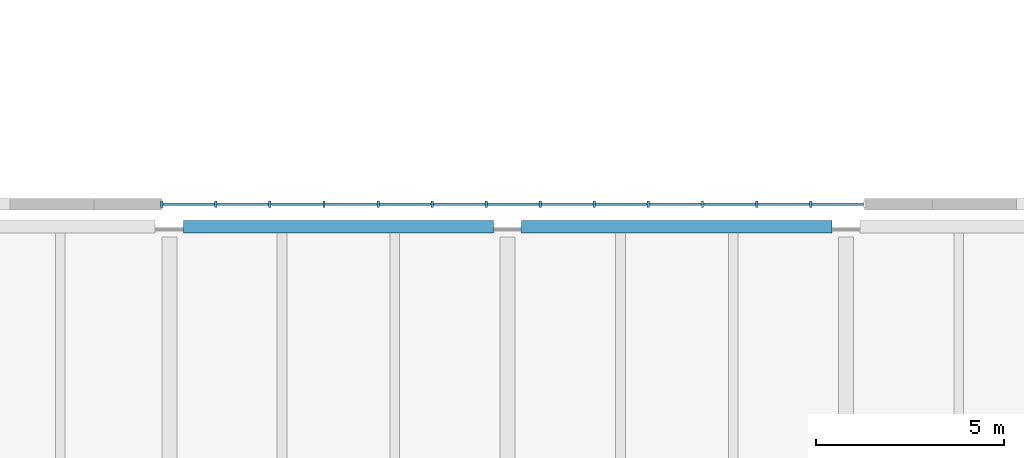
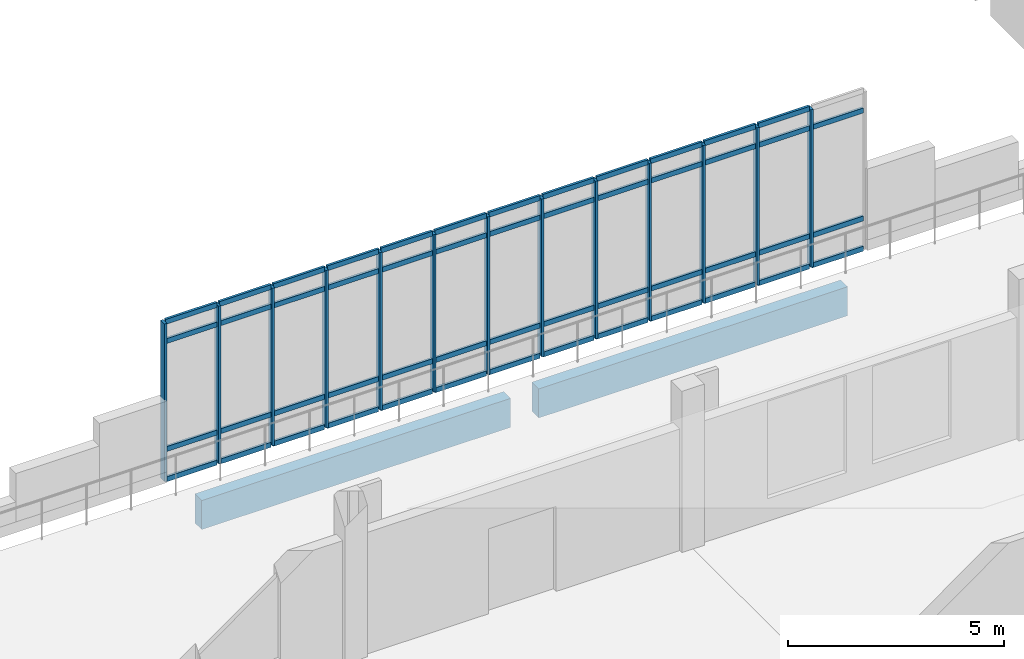
# One storey, part 15 of 63: 64 members, 2 beams, 1 element without a shape of its own.
"""IFC4 building model written with IfcOpenShell, lengths in metres."""

import ifcopenshell
import ifcopenshell.guid

model = None  # the IFC model being written
_history = None  # IfcOwnerHistory: only IFC2X3 demands one
_inside = {}  # id of a spatial element -> (the spatial element, [elements in it])
_under = {}  # id of a project, library or spatial element -> (it, [spatial elements below it])
_declared = {}  # id of a project -> (the project, [libraries it declares])
_typed = {}  # id of a type object -> (the type object, [elements of that type])
_made_of = {}  # id of a material, layer set ... -> (it, [elements and type objects made of it])


def new_model(schema):
    """Start an empty IFC model of exactly this schema.

    Asked for "IFC4X3", IfcOpenShell would pick the latest addendum, in which some entities
    have other attributes; the version numbers below select the first issue.
    IFC2X3 requires an IfcOwnerHistory on every rooted entity: one is made here for all.
    """
    global model, _history
    if schema == "IFC4X3":
        model = ifcopenshell.file(schema_version=(4, 3, 0, 0))
    else:
        model = ifcopenshell.file(schema=schema)
    _inside.clear()
    _under.clear()
    _declared.clear()
    _typed.clear()
    _made_of.clear()
    _history = None
    if model.schema == "IFC2X3":
        org = make("IfcOrganization", Name="unknown")
        user = make(
            "IfcPersonAndOrganization",
            ThePerson=make("IfcPerson", FamilyName="unknown"),
            TheOrganization=org,
        )
        app = make(
            "IfcApplication",
            ApplicationDeveloper=org,
            Version="unknown",
            ApplicationFullName="unknown",
            ApplicationIdentifier="unknown",
        )
        _history = make(
            "IfcOwnerHistory",
            OwningUser=user,
            OwningApplication=app,
            ChangeAction="ADDED",
            CreationDate=0,
        )
    return model


def make(cls, **values):
    """One entity of the class cls with the attributes given. An attribute that is None is left unset."""
    return model.create_entity(
        cls, **{name: value for name, value in values.items() if value is not None}
    )


def rooted(cls, **values):
    """An entity with a GlobalId (a new one), such as an element, a storey or a relation."""
    return make(cls, GlobalId=ifcopenshell.guid.new(), OwnerHistory=_history, **values)


def si_unit(unit_type, name, prefix=None):
    """IfcSIUnit, for example si_unit("LENGTHUNIT", "METRE", prefix="MILLI")."""
    return make("IfcSIUnit", UnitType=unit_type, Prefix=prefix, Name=name)


def assignment(units):
    """IfcUnitAssignment: the units of a project."""
    return None if units is None else make("IfcUnitAssignment", Units=units)


def point(xyz):
    """IfcCartesianPoint."""
    return None if xyz is None else make("IfcCartesianPoint", Coordinates=xyz)


def direction(xyz):
    """IfcDirection."""
    return None if xyz is None else make("IfcDirection", DirectionRatios=xyz)


def frame(location, z_axis=None, x_axis=None):
    """IfcAxis2Placement3D, a coordinate frame: its origin and axes. An axis left out is left unset."""
    return make(
        "IfcAxis2Placement3D",
        Location=point(location),
        Axis=direction(z_axis),
        RefDirection=direction(x_axis),
    )


def frame_2d(location, x_axis=None):
    """IfcAxis2Placement2D, a coordinate frame in the plane: its origin and x axis."""
    return make(
        "IfcAxis2Placement2D", Location=point(location), RefDirection=direction(x_axis)
    )


def origin():
    """The frame at (0, 0, 0) with its axes left unset."""
    return frame((0.0, 0.0, 0.0))


def origin_2d():
    """The frame at (0, 0) in the plane with its x axis left unset."""
    return frame_2d((0.0, 0.0))


def place(relative_to, where):
    """IfcLocalPlacement: puts the frame where relative to a parent placement (None: the world)."""
    return make(
        "IfcLocalPlacement", PlacementRelTo=relative_to, RelativePlacement=where
    )


def context(
    kind, dimensions, precision=None, world=None, true_north=None, identifier=None
):
    """IfcGeometricRepresentationContext, for example the 3D "Model" context."""
    return make(
        "IfcGeometricRepresentationContext",
        ContextIdentifier=identifier,
        ContextType=kind,
        CoordinateSpaceDimension=dimensions,
        Precision=precision,
        WorldCoordinateSystem=world,
        TrueNorth=true_north,
    )


def subcontext(parent, identifier, kind, view, scale=None):
    """IfcGeometricRepresentationSubContext, for example "Body" below "Model"."""
    return make(
        "IfcGeometricRepresentationSubContext",
        ContextIdentifier=identifier,
        ContextType=kind,
        ParentContext=parent,
        TargetScale=scale,
        TargetView=view,
    )


def project(units=None, contexts=None):
    """IfcProject with its units and contexts."""
    return rooted(
        "IfcProject",
        Name="project",
        RepresentationContexts=contexts,
        UnitsInContext=assignment(units),
    )


def spatial(cls, under=None, at=None, **own):
    """A site, building, storey or space (cls), placed at a placement, below another one or the project."""
    s = rooted(cls, ObjectPlacement=at, **own)
    if under is not None:
        _under.setdefault(under.id(), (under, []))[1].append(s)
    return s


def profile(cls, at=None, kind="AREA", **sizes):
    """A parametric profile (cls). Its sizes go by their IFC names, for example OverallWidth=200.0."""
    return make(cls, ProfileType=kind, Position=at, **sizes)


def rectangle(**sizes):
    """IfcRectangleProfileDef."""
    return profile("IfcRectangleProfileDef", **sizes)


def extrude(swept, where, along, depth):
    """IfcExtrudedAreaSolid: the profile swept, set in the frame where, extruded along a direction by depth."""
    return make(
        "IfcExtrudedAreaSolid",
        SweptArea=swept,
        Position=where,
        ExtrudedDirection=direction(along),
        Depth=depth,
    )


def shape(context_of_items, identifier, shape_type, items):
    """IfcShapeRepresentation: the items that make up one representation, for example the "Body"."""
    return make(
        "IfcShapeRepresentation",
        ContextOfItems=context_of_items,
        RepresentationIdentifier=identifier,
        RepresentationType=shape_type,
        Items=items,
    )


def material(Name=None, Category=None):
    """IfcMaterial."""
    return make("IfcMaterial", Name=Name, Category=Category)


def layer(
    of_material, thickness, ventilated=None, Name=None, Category=None, Priority=None
):
    """IfcMaterialLayer: one layer of a wall or slab, of a material (None: an air gap)."""
    return make(
        "IfcMaterialLayer",
        Material=of_material,
        LayerThickness=thickness,
        IsVentilated=ventilated,
        Name=Name,
        Category=Category,
        Priority=Priority,
    )


def layer_set(layers, Name=None):
    """IfcMaterialLayerSet."""
    return make("IfcMaterialLayerSet", MaterialLayers=layers, LayerSetName=Name)


def material_profile(
    of_material, cross_section, Name=None, Category=None, Priority=None
):
    """IfcMaterialProfile: a cross section and its material."""
    return make(
        "IfcMaterialProfile",
        Name=Name,
        Material=of_material,
        Profile=cross_section,
        Priority=Priority,
        Category=Category,
    )


def profile_set(profiles, Name=None, composite=None):
    """IfcMaterialProfileSet."""
    return make(
        "IfcMaterialProfileSet",
        Name=Name,
        MaterialProfiles=profiles,
        CompositeProfile=composite,
    )


def made_of(thing, what):
    """Note that an element or type object is made of a material, layer set ...; save() writes the relation."""
    if what is not None:
        _made_of.setdefault(what.id(), (what, []))[1].append(thing)
    return thing


def type_object(cls, material=None, **own):
    """A type object (cls), such as IfcWallType, which elements share."""
    return made_of(rooted(cls, **own), material)


def element(
    cls,
    number,
    at=None,
    inside=None,
    cuts=None,
    type_object=None,
    material=None,
    context=None,
    identifier="Body",
    shape_type=None,
    held_by="IfcProductDefinitionShape",
    body=None,
    shapes=None,
    **own,
):
    """One element of the class cls, such as IfcWall. Its Tag is "e" and its number.

    at: its placement. inside: the storey or other place that contains it. cuts: it is an
    opening in that element (IfcRelVoidsElement). A single representation is given by context,
    identifier, shape_type and body (its items); several are given by shapes. held_by: the class
    of the entity that holds the representations. save() writes the other relations.
    """
    e = rooted(cls, Tag="e%d" % number, ObjectPlacement=at, **own)
    if body is not None:
        shapes = [shape(context, identifier, shape_type, body)]
    if shapes is not None:
        e.Representation = make(held_by, Representations=shapes)
    if inside is not None:
        _inside.setdefault(inside.id(), (inside, []))[1].append(e)
    if cuts is not None:
        rooted(
            "IfcRelVoidsElement", RelatingBuildingElement=cuts, RelatedOpeningElement=e
        )
    if type_object is not None:
        _typed.setdefault(type_object.id(), (type_object, []))[1].append(e)
    return made_of(e, material)


def aggregate(whole, parts):
    """IfcRelAggregates: a whole, such as a stair, and the parts it consists of."""
    return rooted("IfcRelAggregates", RelatingObject=whole, RelatedObjects=parts)


def save(model, path):
    """Write the relations noted so far, then the file.

    IfcRelAggregates (storeys below a building ...), IfcRelContainedInSpatialStructure (elements
    in a storey), IfcRelDefinesByType, IfcRelAssociatesMaterial and IfcRelDeclares: one each for
    every whole, place, type object, material and project.
    """
    for whole, parts in _under.values():
        aggregate(whole, parts)
    for where, things in _inside.values():
        rooted(
            "IfcRelContainedInSpatialStructure",
            RelatedElements=things,
            RelatingStructure=where,
        )
    for kind, things in _typed.values():
        rooted("IfcRelDefinesByType", RelatedObjects=things, RelatingType=kind)
    for what, things in _made_of.values():
        rooted("IfcRelAssociatesMaterial", RelatedObjects=things, RelatingMaterial=what)
    for by, libraries in _declared.values():
        rooted("IfcRelDeclares", RelatingContext=by, RelatedDefinitions=libraries)
    model.write(path)


model = new_model("IFC4")

# Units and contexts
model_context = context("Model", 3, precision=1e-05, world=origin(), true_north=direction((0.0, 1.0)))
body_context = subcontext(model_context, "Body", "Model", "MODEL_VIEW")
ifc_project = project(units=[si_unit("LENGTHUNIT", "METRE"), si_unit("AREAUNIT", "SQUARE_METRE"), si_unit("VOLUMEUNIT", "CUBIC_METRE"), si_unit("PLANEANGLEUNIT", "RADIAN"), si_unit("MASSUNIT", "GRAM", prefix="KILO")], contexts=[model_context])

# Site, building, storey
site_placement = place(None, origin())
site = spatial("IfcSite", under=ifc_project, at=site_placement, CompositionType="ELEMENT")
building_placement = place(site_placement, origin())
building = spatial("IfcBuilding", under=site, at=building_placement, Name="Zacnel Wholesale Market", CompositionType="ELEMENT")
storey_placement = place(building_placement, frame((0.0, 0.0, 11.199951171875)))
storey = spatial("IfcBuildingStorey", under=building, at=storey_placement, Name="L03", CompositionType="ELEMENT", Elevation=11.199951171875)

# Beams
ifc_material_1 = material(Name="Precast concrete C45/55", Category="concrete")
ifc_material_profile_1 = material_profile(ifc_material_1, rectangle(XDim=0.320068359375, YDim=0.820068359375, at=origin_2d()), Name="SP 320x820")
ifc_profile_set_1 = profile_set([ifc_material_profile_1], Name="Precast concrete C45/55")
beam_type = type_object("IfcBeamType", Name="BM-SP820", PredefinedType="SPANDREL", material=ifc_profile_set_1)
for number, where, z_axis, x_axis, name in (
    (1, (153.375, 47.699951171875, -0.75), (1.0, 0.0, 0.0), (0.0, 1.0, 0.0), "Precast girder X-0663"),
    (2, (162.375, 47.699951171875, -0.75), (1.0, 0.0, 0.0), (0.0, 1.0, 0.0), "Precast girder X-0664"),
):
    element("IfcBeam", number, at=place(storey_placement, frame(where, z_axis=z_axis, x_axis=x_axis)), inside=storey, type_object=beam_type, Name=name, PredefinedType="SPANDREL", context=body_context, shape_type="SweptSolid", body=[
        extrude(rectangle(XDim=0.320068359375, YDim=0.820068359375, at=origin_2d()), origin(), (0.0, 0.0, 1.0), 8.25),
    ])

# Curtain wall, members
ifc_material_2 = material(Name="Anodised aluminium", Category="aluminium")
ifc_layer = layer(ifc_material_2, 0.159912109375)
ifc_layer_set = layer_set([ifc_layer], Name="Anodised aluminium")
curtain_wall_type = type_object("IfcCurtainWallType", Name="CW-NAVE-4200", PredefinedType="NOTDEFINED", material=ifc_layer_set)
curtain_wall_placement = place(storey_placement, origin())
curtain_wall = element("IfcCurtainWall", 3, at=curtain_wall_placement, inside=storey, type_object=curtain_wall_type, Name="Curtain wall ENV-CW-GABLE-E-S", PredefinedType="NOTDEFINED")
ifc_material_3 = material(Name="Anodised aluminium", Category="aluminium")
ifc_material_profile_2 = material_profile(ifc_material_3, rectangle(XDim=0.06494140625, YDim=0.179931640625, at=origin_2d()), Name="AW-MULLION 65x180")
ifc_profile_set_2 = profile_set([ifc_material_profile_2], Name="Anodised aluminium")
member_type_1 = type_object("IfcMemberType", Name="CWM-MUL-03", PredefinedType="MULLION", material=ifc_profile_set_2)
member_1_placement = place(storey_placement, frame((152.800048828125, 48.300048828125, 0.0), z_axis=(0.0, 0.0, 1.0), x_axis=(1.0, 0.0, 0.0)))
member_1 = element("IfcMember", 4, at=member_1_placement, type_object=member_type_1, Name="ENV-CW-GABLE-E-S mullion 01", PredefinedType="MULLION", context=body_context, shape_type="SweptSolid", body=[
    extrude(rectangle(XDim=0.06494140625, YDim=0.179931640625, at=origin_2d()), origin(), (0.0, 0.0, 1.0), 4.449951171875),
])
member_2_placement = place(storey_placement, frame((154.238525390625, 48.300048828125, 0.0), z_axis=(0.0, 0.0, 1.0), x_axis=(1.0, 0.0, 0.0)))
member_2 = element("IfcMember", 5, at=member_2_placement, type_object=member_type_1, Name="ENV-CW-GABLE-E-S mullion 02", PredefinedType="MULLION", context=body_context, shape_type="SweptSolid", body=[
    extrude(rectangle(XDim=0.06494140625, YDim=0.179931640625, at=origin_2d()), origin(), (0.0, 0.0, 1.0), 4.449951171875),
])
member_3_placement = place(storey_placement, frame((155.677001953125, 48.300048828125, 0.0), z_axis=(0.0, 0.0, 1.0), x_axis=(1.0, 0.0, 0.0)))
member_3 = element("IfcMember", 6, at=member_3_placement, type_object=member_type_1, Name="ENV-CW-GABLE-E-S mullion 03", PredefinedType="MULLION", context=body_context, shape_type="SweptSolid", body=[
    extrude(rectangle(XDim=0.06494140625, YDim=0.179931640625, at=origin_2d()), origin(), (0.0, 0.0, 1.0), 4.449951171875),
])
member_4_placement = place(storey_placement, frame((157.115478515625, 48.300048828125, 0.0), z_axis=(0.0, 0.0, 1.0), x_axis=(1.0, 0.0, 0.0)))
member_4 = element("IfcMember", 7, at=member_4_placement, type_object=member_type_1, Name="ENV-CW-GABLE-E-S mullion 04", PredefinedType="MULLION", context=body_context, shape_type="SweptSolid", body=[
    extrude(rectangle(XDim=0.06494140625, YDim=0.179931640625, at=origin_2d()), origin(), (0.0, 0.0, 1.0), 4.449951171875),
])
member_5_placement = place(storey_placement, frame((158.5537109375, 48.300048828125, 0.0), z_axis=(0.0, 0.0, 1.0), x_axis=(1.0, 0.0, 0.0)))
member_5 = element("IfcMember", 8, at=member_5_placement, type_object=member_type_1, Name="ENV-CW-GABLE-E-S mullion 05", PredefinedType="MULLION", context=body_context, shape_type="SweptSolid", body=[
    extrude(rectangle(XDim=0.06494140625, YDim=0.179931640625, at=origin_2d()), origin(), (0.0, 0.0, 1.0), 4.449951171875),
])
member_6_placement = place(storey_placement, frame((159.9921875, 48.300048828125, 0.0), z_axis=(0.0, 0.0, 1.0), x_axis=(1.0, 0.0, 0.0)))
member_6 = element("IfcMember", 9, at=member_6_placement, type_object=member_type_1, Name="ENV-CW-GABLE-E-S mullion 06", PredefinedType="MULLION", context=body_context, shape_type="SweptSolid", body=[
    extrude(rectangle(XDim=0.06494140625, YDim=0.179931640625, at=origin_2d()), origin(), (0.0, 0.0, 1.0), 4.449951171875),
])
member_7_placement = place(storey_placement, frame((161.430908203125, 48.300048828125, 0.0), z_axis=(0.0, 0.0, 1.0), x_axis=(1.0, 0.0, 0.0)))
member_7 = element("IfcMember", 10, at=member_7_placement, type_object=member_type_1, Name="ENV-CW-GABLE-E-S mullion 07", PredefinedType="MULLION", context=body_context, shape_type="SweptSolid", body=[
    extrude(rectangle(XDim=0.06494140625, YDim=0.179931640625, at=origin_2d()), origin(), (0.0, 0.0, 1.0), 4.449951171875),
])
member_8_placement = place(storey_placement, frame((162.869140625, 48.300048828125, 0.0), z_axis=(0.0, 0.0, 1.0), x_axis=(1.0, 0.0, 0.0)))
member_8 = element("IfcMember", 11, at=member_8_placement, type_object=member_type_1, Name="ENV-CW-GABLE-E-S mullion 08", PredefinedType="MULLION", context=body_context, shape_type="SweptSolid", body=[
    extrude(rectangle(XDim=0.06494140625, YDim=0.179931640625, at=origin_2d()), origin(), (0.0, 0.0, 1.0), 4.449951171875),
])
member_9_placement = place(storey_placement, frame((164.3076171875, 48.300048828125, 0.0), z_axis=(0.0, 0.0, 1.0), x_axis=(1.0, 0.0, 0.0)))
member_9 = element("IfcMember", 12, at=member_9_placement, type_object=member_type_1, Name="ENV-CW-GABLE-E-S mullion 09", PredefinedType="MULLION", context=body_context, shape_type="SweptSolid", body=[
    extrude(rectangle(XDim=0.06494140625, YDim=0.179931640625, at=origin_2d()), origin(), (0.0, 0.0, 1.0), 4.449951171875),
])
member_10_placement = place(storey_placement, frame((165.74609375, 48.300048828125, 0.0), z_axis=(0.0, 0.0, 1.0), x_axis=(1.0, 0.0, 0.0)))
member_10 = element("IfcMember", 13, at=member_10_placement, type_object=member_type_1, Name="ENV-CW-GABLE-E-S mullion 10", PredefinedType="MULLION", context=body_context, shape_type="SweptSolid", body=[
    extrude(rectangle(XDim=0.06494140625, YDim=0.179931640625, at=origin_2d()), origin(), (0.0, 0.0, 1.0), 4.449951171875),
])
member_11_placement = place(storey_placement, frame((167.1845703125, 48.300048828125, 0.0), z_axis=(0.0, 0.0, 1.0), x_axis=(1.0, 0.0, 0.0)))
member_11 = element("IfcMember", 14, at=member_11_placement, type_object=member_type_1, Name="ENV-CW-GABLE-E-S mullion 11", PredefinedType="MULLION", context=body_context, shape_type="SweptSolid", body=[
    extrude(rectangle(XDim=0.06494140625, YDim=0.179931640625, at=origin_2d()), origin(), (0.0, 0.0, 1.0), 4.449951171875),
])
member_12_placement = place(storey_placement, frame((168.623046875, 48.300048828125, 0.0), z_axis=(0.0, 0.0, 1.0), x_axis=(1.0, 0.0, 0.0)))
member_12 = element("IfcMember", 15, at=member_12_placement, type_object=member_type_1, Name="ENV-CW-GABLE-E-S mullion 12", PredefinedType="MULLION", context=body_context, shape_type="SweptSolid", body=[
    extrude(rectangle(XDim=0.06494140625, YDim=0.179931640625, at=origin_2d()), origin(), (0.0, 0.0, 1.0), 4.449951171875),
])
member_13_placement = place(storey_placement, frame((170.0615234375, 48.300048828125, 0.0), z_axis=(0.0, 0.0, 1.0), x_axis=(1.0, 0.0, 0.0)))
member_13 = element("IfcMember", 16, at=member_13_placement, type_object=member_type_1, Name="ENV-CW-GABLE-E-S mullion 13", PredefinedType="MULLION", context=body_context, shape_type="SweptSolid", body=[
    extrude(rectangle(XDim=0.06494140625, YDim=0.179931640625, at=origin_2d()), origin(), (0.0, 0.0, 1.0), 4.449951171875),
])
ifc_material_4 = material(Name="Anodised aluminium", Category="aluminium")
ifc_material_profile_3 = material_profile(ifc_material_4, rectangle(XDim=0.06494140625, YDim=0.139892578125, at=origin_2d()), Name="AW-TRANSOM 65x140")
ifc_profile_set_3 = profile_set([ifc_material_profile_3], Name="Anodised aluminium")
member_type_2 = type_object("IfcMemberType", Name="CWM-TRN-03", PredefinedType="USERDEFINED", material=ifc_profile_set_3)
member_14_placement = place(storey_placement, frame((152.8349609375, 48.300048828125, 0.0), z_axis=(1.0, 0.0, 0.0), x_axis=(0.0, 1.0, 0.0)))
member_14 = element("IfcMember", 17, at=member_14_placement, type_object=member_type_2, Name="ENV-CW-GABLE-E-S transom 1-1", ObjectType="TRANSOM", PredefinedType="USERDEFINED", context=body_context, shape_type="SweptSolid", body=[
    extrude(rectangle(XDim=0.06494140625, YDim=0.139892578125, at=origin_2d()), origin(), (0.0, 0.0, 1.0), 1.36865234375),
])
member_15_placement = place(storey_placement, frame((152.8349609375, 48.300048828125, 0.85009765625), z_axis=(1.0, 0.0, 0.0), x_axis=(0.0, 1.0, 0.0)))
member_15 = element("IfcMember", 18, at=member_15_placement, type_object=member_type_2, Name="ENV-CW-GABLE-E-S transom 1-2", ObjectType="TRANSOM", PredefinedType="USERDEFINED", context=body_context, shape_type="SweptSolid", body=[
    extrude(rectangle(XDim=0.06494140625, YDim=0.139892578125, at=origin_2d()), origin(), (0.0, 0.0, 1.0), 1.36865234375),
])
member_16_placement = place(storey_placement, frame((152.8349609375, 48.300048828125, 3.900146484375), z_axis=(1.0, 0.0, 0.0), x_axis=(0.0, 1.0, 0.0)))
member_16 = element("IfcMember", 19, at=member_16_placement, type_object=member_type_2, Name="ENV-CW-GABLE-E-S transom 1-3", ObjectType="TRANSOM", PredefinedType="USERDEFINED", context=body_context, shape_type="SweptSolid", body=[
    extrude(rectangle(XDim=0.06494140625, YDim=0.139892578125, at=origin_2d()), origin(), (0.0, 0.0, 1.0), 1.36865234375),
])
member_17_placement = place(storey_placement, frame((152.8349609375, 48.300048828125, 4.449951171875), z_axis=(1.0, 0.0, 0.0), x_axis=(0.0, 1.0, 0.0)))
member_17 = element("IfcMember", 20, at=member_17_placement, type_object=member_type_2, Name="ENV-CW-GABLE-E-S transom 1-4", ObjectType="TRANSOM", PredefinedType="USERDEFINED", context=body_context, shape_type="SweptSolid", body=[
    extrude(rectangle(XDim=0.06494140625, YDim=0.139892578125, at=origin_2d()), origin(), (0.0, 0.0, 1.0), 1.36865234375),
])
member_18_placement = place(storey_placement, frame((154.2734375, 48.300048828125, 0.0), z_axis=(1.0, 0.0, 0.0), x_axis=(0.0, 1.0, 0.0)))
member_18 = element("IfcMember", 21, at=member_18_placement, type_object=member_type_2, Name="ENV-CW-GABLE-E-S transom 2-1", ObjectType="TRANSOM", PredefinedType="USERDEFINED", context=body_context, shape_type="SweptSolid", body=[
    extrude(rectangle(XDim=0.06494140625, YDim=0.139892578125, at=origin_2d()), origin(), (0.0, 0.0, 1.0), 1.368408203125),
])
member_19_placement = place(storey_placement, frame((154.2734375, 48.300048828125, 0.85009765625), z_axis=(1.0, 0.0, 0.0), x_axis=(0.0, 1.0, 0.0)))
member_19 = element("IfcMember", 22, at=member_19_placement, type_object=member_type_2, Name="ENV-CW-GABLE-E-S transom 2-2", ObjectType="TRANSOM", PredefinedType="USERDEFINED", context=body_context, shape_type="SweptSolid", body=[
    extrude(rectangle(XDim=0.06494140625, YDim=0.139892578125, at=origin_2d()), origin(), (0.0, 0.0, 1.0), 1.368408203125),
])
member_20_placement = place(storey_placement, frame((154.2734375, 48.300048828125, 3.900146484375), z_axis=(1.0, 0.0, 0.0), x_axis=(0.0, 1.0, 0.0)))
member_20 = element("IfcMember", 23, at=member_20_placement, type_object=member_type_2, Name="ENV-CW-GABLE-E-S transom 2-3", ObjectType="TRANSOM", PredefinedType="USERDEFINED", context=body_context, shape_type="SweptSolid", body=[
    extrude(rectangle(XDim=0.06494140625, YDim=0.139892578125, at=origin_2d()), origin(), (0.0, 0.0, 1.0), 1.368408203125),
])
member_21_placement = place(storey_placement, frame((154.2734375, 48.300048828125, 4.449951171875), z_axis=(1.0, 0.0, 0.0), x_axis=(0.0, 1.0, 0.0)))
member_21 = element("IfcMember", 24, at=member_21_placement, type_object=member_type_2, Name="ENV-CW-GABLE-E-S transom 2-4", ObjectType="TRANSOM", PredefinedType="USERDEFINED", context=body_context, shape_type="SweptSolid", body=[
    extrude(rectangle(XDim=0.06494140625, YDim=0.139892578125, at=origin_2d()), origin(), (0.0, 0.0, 1.0), 1.368408203125),
])
member_22_placement = place(storey_placement, frame((155.7119140625, 48.300048828125, 0.0), z_axis=(1.0, 0.0, 0.0), x_axis=(0.0, 1.0, 0.0)))
member_22 = element("IfcMember", 25, at=member_22_placement, type_object=member_type_2, Name="ENV-CW-GABLE-E-S transom 3-1", ObjectType="TRANSOM", PredefinedType="USERDEFINED", context=body_context, shape_type="SweptSolid", body=[
    extrude(rectangle(XDim=0.06494140625, YDim=0.139892578125, at=origin_2d()), origin(), (0.0, 0.0, 1.0), 1.368408203125),
])
member_23_placement = place(storey_placement, frame((155.7119140625, 48.300048828125, 0.85009765625), z_axis=(1.0, 0.0, 0.0), x_axis=(0.0, 1.0, 0.0)))
member_23 = element("IfcMember", 26, at=member_23_placement, type_object=member_type_2, Name="ENV-CW-GABLE-E-S transom 3-2", ObjectType="TRANSOM", PredefinedType="USERDEFINED", context=body_context, shape_type="SweptSolid", body=[
    extrude(rectangle(XDim=0.06494140625, YDim=0.139892578125, at=origin_2d()), origin(), (0.0, 0.0, 1.0), 1.368408203125),
])
member_24_placement = place(storey_placement, frame((155.7119140625, 48.300048828125, 3.900146484375), z_axis=(1.0, 0.0, 0.0), x_axis=(0.0, 1.0, 0.0)))
member_24 = element("IfcMember", 27, at=member_24_placement, type_object=member_type_2, Name="ENV-CW-GABLE-E-S transom 3-3", ObjectType="TRANSOM", PredefinedType="USERDEFINED", context=body_context, shape_type="SweptSolid", body=[
    extrude(rectangle(XDim=0.06494140625, YDim=0.139892578125, at=origin_2d()), origin(), (0.0, 0.0, 1.0), 1.368408203125),
])
member_25_placement = place(storey_placement, frame((155.7119140625, 48.300048828125, 4.449951171875), z_axis=(1.0, 0.0, 0.0), x_axis=(0.0, 1.0, 0.0)))
member_25 = element("IfcMember", 28, at=member_25_placement, type_object=member_type_2, Name="ENV-CW-GABLE-E-S transom 3-4", ObjectType="TRANSOM", PredefinedType="USERDEFINED", context=body_context, shape_type="SweptSolid", body=[
    extrude(rectangle(XDim=0.06494140625, YDim=0.139892578125, at=origin_2d()), origin(), (0.0, 0.0, 1.0), 1.368408203125),
])
member_26_placement = place(storey_placement, frame((157.150390625, 48.300048828125, 0.0), z_axis=(1.0, 0.0, 0.0), x_axis=(0.0, 1.0, 0.0)))
member_26 = element("IfcMember", 29, at=member_26_placement, type_object=member_type_2, Name="ENV-CW-GABLE-E-S transom 4-1", ObjectType="TRANSOM", PredefinedType="USERDEFINED", context=body_context, shape_type="SweptSolid", body=[
    extrude(rectangle(XDim=0.06494140625, YDim=0.139892578125, at=origin_2d()), origin(), (0.0, 0.0, 1.0), 1.368408203125),
])
member_27_placement = place(storey_placement, frame((157.150390625, 48.300048828125, 0.85009765625), z_axis=(1.0, 0.0, 0.0), x_axis=(0.0, 1.0, 0.0)))
member_27 = element("IfcMember", 30, at=member_27_placement, type_object=member_type_2, Name="ENV-CW-GABLE-E-S transom 4-2", ObjectType="TRANSOM", PredefinedType="USERDEFINED", context=body_context, shape_type="SweptSolid", body=[
    extrude(rectangle(XDim=0.06494140625, YDim=0.139892578125, at=origin_2d()), origin(), (0.0, 0.0, 1.0), 1.368408203125),
])
member_28_placement = place(storey_placement, frame((157.150390625, 48.300048828125, 3.900146484375), z_axis=(1.0, 0.0, 0.0), x_axis=(0.0, 1.0, 0.0)))
member_28 = element("IfcMember", 31, at=member_28_placement, type_object=member_type_2, Name="ENV-CW-GABLE-E-S transom 4-3", ObjectType="TRANSOM", PredefinedType="USERDEFINED", context=body_context, shape_type="SweptSolid", body=[
    extrude(rectangle(XDim=0.06494140625, YDim=0.139892578125, at=origin_2d()), origin(), (0.0, 0.0, 1.0), 1.368408203125),
])
member_29_placement = place(storey_placement, frame((157.150390625, 48.300048828125, 4.449951171875), z_axis=(1.0, 0.0, 0.0), x_axis=(0.0, 1.0, 0.0)))
member_29 = element("IfcMember", 32, at=member_29_placement, type_object=member_type_2, Name="ENV-CW-GABLE-E-S transom 4-4", ObjectType="TRANSOM", PredefinedType="USERDEFINED", context=body_context, shape_type="SweptSolid", body=[
    extrude(rectangle(XDim=0.06494140625, YDim=0.139892578125, at=origin_2d()), origin(), (0.0, 0.0, 1.0), 1.368408203125),
])
member_30_placement = place(storey_placement, frame((158.5888671875, 48.300048828125, 0.0), z_axis=(1.0, 0.0, 0.0), x_axis=(0.0, 1.0, 0.0)))
member_30 = element("IfcMember", 33, at=member_30_placement, type_object=member_type_2, Name="ENV-CW-GABLE-E-S transom 5-1", ObjectType="TRANSOM", PredefinedType="USERDEFINED", context=body_context, shape_type="SweptSolid", body=[
    extrude(rectangle(XDim=0.06494140625, YDim=0.139892578125, at=origin_2d()), origin(), (0.0, 0.0, 1.0), 1.368408203125),
])
member_31_placement = place(storey_placement, frame((158.5888671875, 48.300048828125, 0.85009765625), z_axis=(1.0, 0.0, 0.0), x_axis=(0.0, 1.0, 0.0)))
member_31 = element("IfcMember", 34, at=member_31_placement, type_object=member_type_2, Name="ENV-CW-GABLE-E-S transom 5-2", ObjectType="TRANSOM", PredefinedType="USERDEFINED", context=body_context, shape_type="SweptSolid", body=[
    extrude(rectangle(XDim=0.06494140625, YDim=0.139892578125, at=origin_2d()), origin(), (0.0, 0.0, 1.0), 1.368408203125),
])
member_32_placement = place(storey_placement, frame((158.5888671875, 48.300048828125, 3.900146484375), z_axis=(1.0, 0.0, 0.0), x_axis=(0.0, 1.0, 0.0)))
member_32 = element("IfcMember", 35, at=member_32_placement, type_object=member_type_2, Name="ENV-CW-GABLE-E-S transom 5-3", ObjectType="TRANSOM", PredefinedType="USERDEFINED", context=body_context, shape_type="SweptSolid", body=[
    extrude(rectangle(XDim=0.06494140625, YDim=0.139892578125, at=origin_2d()), origin(), (0.0, 0.0, 1.0), 1.368408203125),
])
member_33_placement = place(storey_placement, frame((158.5888671875, 48.300048828125, 4.449951171875), z_axis=(1.0, 0.0, 0.0), x_axis=(0.0, 1.0, 0.0)))
member_33 = element("IfcMember", 36, at=member_33_placement, type_object=member_type_2, Name="ENV-CW-GABLE-E-S transom 5-4", ObjectType="TRANSOM", PredefinedType="USERDEFINED", context=body_context, shape_type="SweptSolid", body=[
    extrude(rectangle(XDim=0.06494140625, YDim=0.139892578125, at=origin_2d()), origin(), (0.0, 0.0, 1.0), 1.368408203125),
])
member_34_placement = place(storey_placement, frame((160.02734375, 48.300048828125, 0.0), z_axis=(1.0, 0.0, 0.0), x_axis=(0.0, 1.0, 0.0)))
member_34 = element("IfcMember", 37, at=member_34_placement, type_object=member_type_2, Name="ENV-CW-GABLE-E-S transom 6-1", ObjectType="TRANSOM", PredefinedType="USERDEFINED", context=body_context, shape_type="SweptSolid", body=[
    extrude(rectangle(XDim=0.06494140625, YDim=0.139892578125, at=origin_2d()), origin(), (0.0, 0.0, 1.0), 1.368408203125),
])
member_35_placement = place(storey_placement, frame((160.02734375, 48.300048828125, 0.85009765625), z_axis=(1.0, 0.0, 0.0), x_axis=(0.0, 1.0, 0.0)))
member_35 = element("IfcMember", 38, at=member_35_placement, type_object=member_type_2, Name="ENV-CW-GABLE-E-S transom 6-2", ObjectType="TRANSOM", PredefinedType="USERDEFINED", context=body_context, shape_type="SweptSolid", body=[
    extrude(rectangle(XDim=0.06494140625, YDim=0.139892578125, at=origin_2d()), origin(), (0.0, 0.0, 1.0), 1.368408203125),
])
member_36_placement = place(storey_placement, frame((160.02734375, 48.300048828125, 3.900146484375), z_axis=(1.0, 0.0, 0.0), x_axis=(0.0, 1.0, 0.0)))
member_36 = element("IfcMember", 39, at=member_36_placement, type_object=member_type_2, Name="ENV-CW-GABLE-E-S transom 6-3", ObjectType="TRANSOM", PredefinedType="USERDEFINED", context=body_context, shape_type="SweptSolid", body=[
    extrude(rectangle(XDim=0.06494140625, YDim=0.139892578125, at=origin_2d()), origin(), (0.0, 0.0, 1.0), 1.368408203125),
])
member_37_placement = place(storey_placement, frame((160.02734375, 48.300048828125, 4.449951171875), z_axis=(1.0, 0.0, 0.0), x_axis=(0.0, 1.0, 0.0)))
member_37 = element("IfcMember", 40, at=member_37_placement, type_object=member_type_2, Name="ENV-CW-GABLE-E-S transom 6-4", ObjectType="TRANSOM", PredefinedType="USERDEFINED", context=body_context, shape_type="SweptSolid", body=[
    extrude(rectangle(XDim=0.06494140625, YDim=0.139892578125, at=origin_2d()), origin(), (0.0, 0.0, 1.0), 1.368408203125),
])
member_38_placement = place(storey_placement, frame((161.4658203125, 48.300048828125, 0.0), z_axis=(1.0, 0.0, 0.0), x_axis=(0.0, 1.0, 0.0)))
member_38 = element("IfcMember", 41, at=member_38_placement, type_object=member_type_2, Name="ENV-CW-GABLE-E-S transom 7-1", ObjectType="TRANSOM", PredefinedType="USERDEFINED", context=body_context, shape_type="SweptSolid", body=[
    extrude(rectangle(XDim=0.06494140625, YDim=0.139892578125, at=origin_2d()), origin(), (0.0, 0.0, 1.0), 1.368408203125),
])
member_39_placement = place(storey_placement, frame((161.4658203125, 48.300048828125, 0.85009765625), z_axis=(1.0, 0.0, 0.0), x_axis=(0.0, 1.0, 0.0)))
member_39 = element("IfcMember", 42, at=member_39_placement, type_object=member_type_2, Name="ENV-CW-GABLE-E-S transom 7-2", ObjectType="TRANSOM", PredefinedType="USERDEFINED", context=body_context, shape_type="SweptSolid", body=[
    extrude(rectangle(XDim=0.06494140625, YDim=0.139892578125, at=origin_2d()), origin(), (0.0, 0.0, 1.0), 1.368408203125),
])
member_40_placement = place(storey_placement, frame((161.4658203125, 48.300048828125, 3.900146484375), z_axis=(1.0, 0.0, 0.0), x_axis=(0.0, 1.0, 0.0)))
member_40 = element("IfcMember", 43, at=member_40_placement, type_object=member_type_2, Name="ENV-CW-GABLE-E-S transom 7-3", ObjectType="TRANSOM", PredefinedType="USERDEFINED", context=body_context, shape_type="SweptSolid", body=[
    extrude(rectangle(XDim=0.06494140625, YDim=0.139892578125, at=origin_2d()), origin(), (0.0, 0.0, 1.0), 1.368408203125),
])
member_41_placement = place(storey_placement, frame((161.4658203125, 48.300048828125, 4.449951171875), z_axis=(1.0, 0.0, 0.0), x_axis=(0.0, 1.0, 0.0)))
member_41 = element("IfcMember", 44, at=member_41_placement, type_object=member_type_2, Name="ENV-CW-GABLE-E-S transom 7-4", ObjectType="TRANSOM", PredefinedType="USERDEFINED", context=body_context, shape_type="SweptSolid", body=[
    extrude(rectangle(XDim=0.06494140625, YDim=0.139892578125, at=origin_2d()), origin(), (0.0, 0.0, 1.0), 1.368408203125),
])
member_42_placement = place(storey_placement, frame((162.904296875, 48.300048828125, 0.0), z_axis=(1.0, 0.0, 0.0), x_axis=(0.0, 1.0, 0.0)))
member_42 = element("IfcMember", 45, at=member_42_placement, type_object=member_type_2, Name="ENV-CW-GABLE-E-S transom 8-1", ObjectType="TRANSOM", PredefinedType="USERDEFINED", context=body_context, shape_type="SweptSolid", body=[
    extrude(rectangle(XDim=0.06494140625, YDim=0.139892578125, at=origin_2d()), origin(), (0.0, 0.0, 1.0), 1.368408203125),
])
member_43_placement = place(storey_placement, frame((162.904296875, 48.300048828125, 0.85009765625), z_axis=(1.0, 0.0, 0.0), x_axis=(0.0, 1.0, 0.0)))
member_43 = element("IfcMember", 46, at=member_43_placement, type_object=member_type_2, Name="ENV-CW-GABLE-E-S transom 8-2", ObjectType="TRANSOM", PredefinedType="USERDEFINED", context=body_context, shape_type="SweptSolid", body=[
    extrude(rectangle(XDim=0.06494140625, YDim=0.139892578125, at=origin_2d()), origin(), (0.0, 0.0, 1.0), 1.368408203125),
])
member_44_placement = place(storey_placement, frame((162.904296875, 48.300048828125, 3.900146484375), z_axis=(1.0, 0.0, 0.0), x_axis=(0.0, 1.0, 0.0)))
member_44 = element("IfcMember", 47, at=member_44_placement, type_object=member_type_2, Name="ENV-CW-GABLE-E-S transom 8-3", ObjectType="TRANSOM", PredefinedType="USERDEFINED", context=body_context, shape_type="SweptSolid", body=[
    extrude(rectangle(XDim=0.06494140625, YDim=0.139892578125, at=origin_2d()), origin(), (0.0, 0.0, 1.0), 1.368408203125),
])
member_45_placement = place(storey_placement, frame((162.904296875, 48.300048828125, 4.449951171875), z_axis=(1.0, 0.0, 0.0), x_axis=(0.0, 1.0, 0.0)))
member_45 = element("IfcMember", 48, at=member_45_placement, type_object=member_type_2, Name="ENV-CW-GABLE-E-S transom 8-4", ObjectType="TRANSOM", PredefinedType="USERDEFINED", context=body_context, shape_type="SweptSolid", body=[
    extrude(rectangle(XDim=0.06494140625, YDim=0.139892578125, at=origin_2d()), origin(), (0.0, 0.0, 1.0), 1.368408203125),
])
member_46_placement = place(storey_placement, frame((164.3427734375, 48.300048828125, 0.0), z_axis=(1.0, 0.0, 0.0), x_axis=(0.0, 1.0, 0.0)))
member_46 = element("IfcMember", 49, at=member_46_placement, type_object=member_type_2, Name="ENV-CW-GABLE-E-S transom 9-1", ObjectType="TRANSOM", PredefinedType="USERDEFINED", context=body_context, shape_type="SweptSolid", body=[
    extrude(rectangle(XDim=0.06494140625, YDim=0.139892578125, at=origin_2d()), origin(), (0.0, 0.0, 1.0), 1.368408203125),
])
member_47_placement = place(storey_placement, frame((164.3427734375, 48.300048828125, 0.85009765625), z_axis=(1.0, 0.0, 0.0), x_axis=(0.0, 1.0, 0.0)))
member_47 = element("IfcMember", 50, at=member_47_placement, type_object=member_type_2, Name="ENV-CW-GABLE-E-S transom 9-2", ObjectType="TRANSOM", PredefinedType="USERDEFINED", context=body_context, shape_type="SweptSolid", body=[
    extrude(rectangle(XDim=0.06494140625, YDim=0.139892578125, at=origin_2d()), origin(), (0.0, 0.0, 1.0), 1.368408203125),
])
member_48_placement = place(storey_placement, frame((164.3427734375, 48.300048828125, 3.900146484375), z_axis=(1.0, 0.0, 0.0), x_axis=(0.0, 1.0, 0.0)))
member_48 = element("IfcMember", 51, at=member_48_placement, type_object=member_type_2, Name="ENV-CW-GABLE-E-S transom 9-3", ObjectType="TRANSOM", PredefinedType="USERDEFINED", context=body_context, shape_type="SweptSolid", body=[
    extrude(rectangle(XDim=0.06494140625, YDim=0.139892578125, at=origin_2d()), origin(), (0.0, 0.0, 1.0), 1.368408203125),
])
member_49_placement = place(storey_placement, frame((164.3427734375, 48.300048828125, 4.449951171875), z_axis=(1.0, 0.0, 0.0), x_axis=(0.0, 1.0, 0.0)))
member_49 = element("IfcMember", 52, at=member_49_placement, type_object=member_type_2, Name="ENV-CW-GABLE-E-S transom 9-4", ObjectType="TRANSOM", PredefinedType="USERDEFINED", context=body_context, shape_type="SweptSolid", body=[
    extrude(rectangle(XDim=0.06494140625, YDim=0.139892578125, at=origin_2d()), origin(), (0.0, 0.0, 1.0), 1.368408203125),
])
member_50_placement = place(storey_placement, frame((165.78125, 48.300048828125, 0.0), z_axis=(1.0, 0.0, 0.0), x_axis=(0.0, 1.0, 0.0)))
member_50 = element("IfcMember", 53, at=member_50_placement, type_object=member_type_2, Name="ENV-CW-GABLE-E-S transom 10-1", ObjectType="TRANSOM", PredefinedType="USERDEFINED", context=body_context, shape_type="SweptSolid", body=[
    extrude(rectangle(XDim=0.06494140625, YDim=0.139892578125, at=origin_2d()), origin(), (0.0, 0.0, 1.0), 1.368408203125),
])
member_51_placement = place(storey_placement, frame((165.78125, 48.300048828125, 0.85009765625), z_axis=(1.0, 0.0, 0.0), x_axis=(0.0, 1.0, 0.0)))
member_51 = element("IfcMember", 54, at=member_51_placement, type_object=member_type_2, Name="ENV-CW-GABLE-E-S transom 10-2", ObjectType="TRANSOM", PredefinedType="USERDEFINED", context=body_context, shape_type="SweptSolid", body=[
    extrude(rectangle(XDim=0.06494140625, YDim=0.139892578125, at=origin_2d()), origin(), (0.0, 0.0, 1.0), 1.368408203125),
])
member_52_placement = place(storey_placement, frame((165.78125, 48.300048828125, 3.900146484375), z_axis=(1.0, 0.0, 0.0), x_axis=(0.0, 1.0, 0.0)))
member_52 = element("IfcMember", 55, at=member_52_placement, type_object=member_type_2, Name="ENV-CW-GABLE-E-S transom 10-3", ObjectType="TRANSOM", PredefinedType="USERDEFINED", context=body_context, shape_type="SweptSolid", body=[
    extrude(rectangle(XDim=0.06494140625, YDim=0.139892578125, at=origin_2d()), origin(), (0.0, 0.0, 1.0), 1.368408203125),
])
member_53_placement = place(storey_placement, frame((165.78125, 48.300048828125, 4.449951171875), z_axis=(1.0, 0.0, 0.0), x_axis=(0.0, 1.0, 0.0)))
member_53 = element("IfcMember", 56, at=member_53_placement, type_object=member_type_2, Name="ENV-CW-GABLE-E-S transom 10-4", ObjectType="TRANSOM", PredefinedType="USERDEFINED", context=body_context, shape_type="SweptSolid", body=[
    extrude(rectangle(XDim=0.06494140625, YDim=0.139892578125, at=origin_2d()), origin(), (0.0, 0.0, 1.0), 1.368408203125),
])
member_54_placement = place(storey_placement, frame((167.219482421875, 48.300048828125, 0.0), z_axis=(1.0, 0.0, 0.0), x_axis=(0.0, 1.0, 0.0)))
member_54 = element("IfcMember", 57, at=member_54_placement, type_object=member_type_2, Name="ENV-CW-GABLE-E-S transom 11-1", ObjectType="TRANSOM", PredefinedType="USERDEFINED", context=body_context, shape_type="SweptSolid", body=[
    extrude(rectangle(XDim=0.06494140625, YDim=0.139892578125, at=origin_2d()), origin(), (0.0, 0.0, 1.0), 1.36865234375),
])
member_55_placement = place(storey_placement, frame((167.219482421875, 48.300048828125, 0.85009765625), z_axis=(1.0, 0.0, 0.0), x_axis=(0.0, 1.0, 0.0)))
member_55 = element("IfcMember", 58, at=member_55_placement, type_object=member_type_2, Name="ENV-CW-GABLE-E-S transom 11-2", ObjectType="TRANSOM", PredefinedType="USERDEFINED", context=body_context, shape_type="SweptSolid", body=[
    extrude(rectangle(XDim=0.06494140625, YDim=0.139892578125, at=origin_2d()), origin(), (0.0, 0.0, 1.0), 1.36865234375),
])
member_56_placement = place(storey_placement, frame((167.219482421875, 48.300048828125, 3.900146484375), z_axis=(1.0, 0.0, 0.0), x_axis=(0.0, 1.0, 0.0)))
member_56 = element("IfcMember", 59, at=member_56_placement, type_object=member_type_2, Name="ENV-CW-GABLE-E-S transom 11-3", ObjectType="TRANSOM", PredefinedType="USERDEFINED", context=body_context, shape_type="SweptSolid", body=[
    extrude(rectangle(XDim=0.06494140625, YDim=0.139892578125, at=origin_2d()), origin(), (0.0, 0.0, 1.0), 1.36865234375),
])
member_57_placement = place(storey_placement, frame((167.219482421875, 48.300048828125, 4.449951171875), z_axis=(1.0, 0.0, 0.0), x_axis=(0.0, 1.0, 0.0)))
member_57 = element("IfcMember", 60, at=member_57_placement, type_object=member_type_2, Name="ENV-CW-GABLE-E-S transom 11-4", ObjectType="TRANSOM", PredefinedType="USERDEFINED", context=body_context, shape_type="SweptSolid", body=[
    extrude(rectangle(XDim=0.06494140625, YDim=0.139892578125, at=origin_2d()), origin(), (0.0, 0.0, 1.0), 1.36865234375),
])
member_58_placement = place(storey_placement, frame((168.658203125, 48.300048828125, 0.0), z_axis=(1.0, 0.0, 0.0), x_axis=(0.0, 1.0, 0.0)))
member_58 = element("IfcMember", 61, at=member_58_placement, type_object=member_type_2, Name="ENV-CW-GABLE-E-S transom 12-1", ObjectType="TRANSOM", PredefinedType="USERDEFINED", context=body_context, shape_type="SweptSolid", body=[
    extrude(rectangle(XDim=0.06494140625, YDim=0.139892578125, at=origin_2d()), origin(), (0.0, 0.0, 1.0), 1.368408203125),
])
member_59_placement = place(storey_placement, frame((168.658203125, 48.300048828125, 0.85009765625), z_axis=(1.0, 0.0, 0.0), x_axis=(0.0, 1.0, 0.0)))
member_59 = element("IfcMember", 62, at=member_59_placement, type_object=member_type_2, Name="ENV-CW-GABLE-E-S transom 12-2", ObjectType="TRANSOM", PredefinedType="USERDEFINED", context=body_context, shape_type="SweptSolid", body=[
    extrude(rectangle(XDim=0.06494140625, YDim=0.139892578125, at=origin_2d()), origin(), (0.0, 0.0, 1.0), 1.368408203125),
])
member_60_placement = place(storey_placement, frame((168.658203125, 48.300048828125, 3.900146484375), z_axis=(1.0, 0.0, 0.0), x_axis=(0.0, 1.0, 0.0)))
member_60 = element("IfcMember", 63, at=member_60_placement, type_object=member_type_2, Name="ENV-CW-GABLE-E-S transom 12-3", ObjectType="TRANSOM", PredefinedType="USERDEFINED", context=body_context, shape_type="SweptSolid", body=[
    extrude(rectangle(XDim=0.06494140625, YDim=0.139892578125, at=origin_2d()), origin(), (0.0, 0.0, 1.0), 1.368408203125),
])
member_61_placement = place(storey_placement, frame((168.658203125, 48.300048828125, 4.449951171875), z_axis=(1.0, 0.0, 0.0), x_axis=(0.0, 1.0, 0.0)))
member_61 = element("IfcMember", 64, at=member_61_placement, type_object=member_type_2, Name="ENV-CW-GABLE-E-S transom 12-4", ObjectType="TRANSOM", PredefinedType="USERDEFINED", context=body_context, shape_type="SweptSolid", body=[
    extrude(rectangle(XDim=0.06494140625, YDim=0.139892578125, at=origin_2d()), origin(), (0.0, 0.0, 1.0), 1.368408203125),
])
member_62_placement = place(storey_placement, frame((170.096435546875, 48.300048828125, 0.0), z_axis=(1.0, 0.0, 0.0), x_axis=(0.0, 1.0, 0.0)))
member_62 = element("IfcMember", 65, at=member_62_placement, type_object=member_type_2, Name="ENV-CW-GABLE-E-S transom 13-1", ObjectType="TRANSOM", PredefinedType="USERDEFINED", context=body_context, shape_type="SweptSolid", body=[
    extrude(rectangle(XDim=0.06494140625, YDim=0.139892578125, at=origin_2d()), origin(), (0.0, 0.0, 1.0), 1.36865234375),
])
member_63_placement = place(storey_placement, frame((170.096435546875, 48.300048828125, 0.85009765625), z_axis=(1.0, 0.0, 0.0), x_axis=(0.0, 1.0, 0.0)))
member_63 = element("IfcMember", 66, at=member_63_placement, type_object=member_type_2, Name="ENV-CW-GABLE-E-S transom 13-2", ObjectType="TRANSOM", PredefinedType="USERDEFINED", context=body_context, shape_type="SweptSolid", body=[
    extrude(rectangle(XDim=0.06494140625, YDim=0.139892578125, at=origin_2d()), origin(), (0.0, 0.0, 1.0), 1.36865234375),
])
member_64_placement = place(storey_placement, frame((170.096435546875, 48.300048828125, 3.900146484375), z_axis=(1.0, 0.0, 0.0), x_axis=(0.0, 1.0, 0.0)))
member_64 = element("IfcMember", 67, at=member_64_placement, type_object=member_type_2, Name="ENV-CW-GABLE-E-S transom 13-3", ObjectType="TRANSOM", PredefinedType="USERDEFINED", context=body_context, shape_type="SweptSolid", body=[
    extrude(rectangle(XDim=0.06494140625, YDim=0.139892578125, at=origin_2d()), origin(), (0.0, 0.0, 1.0), 1.36865234375),
])
aggregate(curtain_wall, [member_1, member_2, member_3, member_4, member_5, member_6, member_7, member_8, member_9, member_10, member_11, member_12, member_13, member_14, member_15, member_16, member_17, member_18, member_19, member_20, member_21, member_22, member_23, member_24, member_25, member_26, member_27, member_28, member_29, member_30, member_31, member_32, member_33, member_34, member_35, member_36, member_37, member_38, member_39, member_40, member_41, member_42, member_43, member_44, member_45, member_46, member_47, member_48, member_49, member_50, member_51, member_52, member_53, member_54, member_55, member_56, member_57, member_58, member_59, member_60, member_61, member_62, member_63, member_64])

save(model, "model.ifc")
